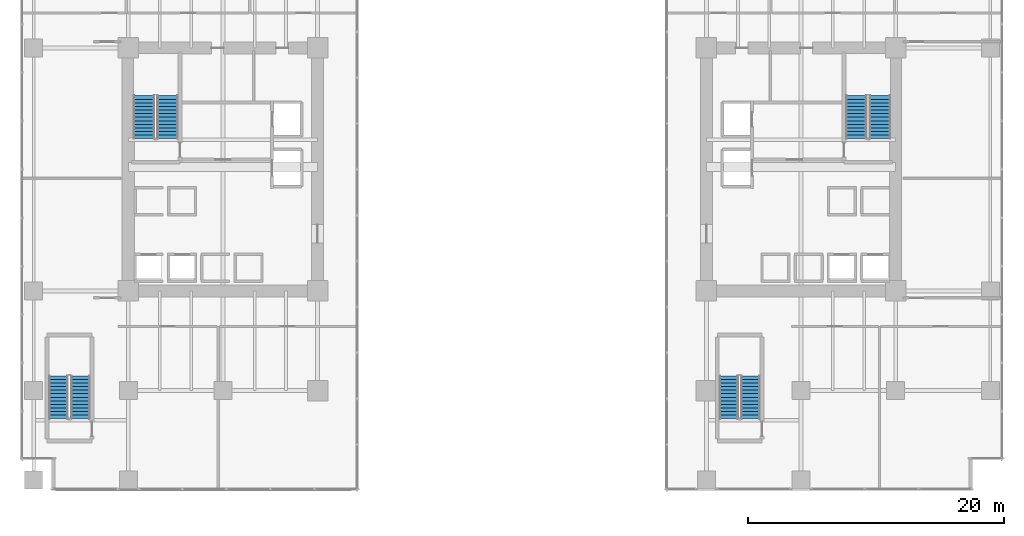
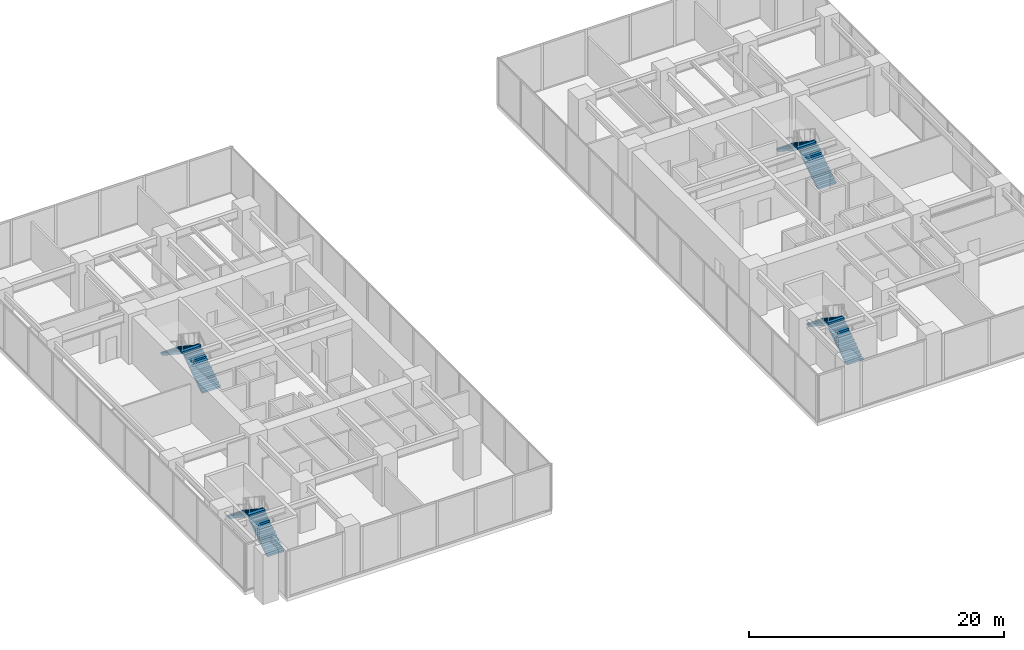
# One storey, part 28 of 32: 8 stair flights, 4 elements without a shape of their own.
"""IFC4 building model written with IfcOpenShell, lengths in metres."""

import ifcopenshell
import ifcopenshell.guid

model = None  # the IFC model being written
_history = None  # IfcOwnerHistory: only IFC2X3 demands one
_inside = {}  # id of a spatial element -> (the spatial element, [elements in it])
_under = {}  # id of a project, library or spatial element -> (it, [spatial elements below it])
_declared = {}  # id of a project -> (the project, [libraries it declares])
_typed = {}  # id of a type object -> (the type object, [elements of that type])
_made_of = {}  # id of a material, layer set ... -> (it, [elements and type objects made of it])


def new_model(schema):
    """Start an empty IFC model of exactly this schema.

    Asked for "IFC4X3", IfcOpenShell would pick the latest addendum, in which some entities
    have other attributes; the version numbers below select the first issue.
    IFC2X3 requires an IfcOwnerHistory on every rooted entity: one is made here for all.
    """
    global model, _history
    if schema == "IFC4X3":
        model = ifcopenshell.file(schema_version=(4, 3, 0, 0))
    else:
        model = ifcopenshell.file(schema=schema)
    _inside.clear()
    _under.clear()
    _declared.clear()
    _typed.clear()
    _made_of.clear()
    _history = None
    if model.schema == "IFC2X3":
        org = make("IfcOrganization", Name="unknown")
        user = make(
            "IfcPersonAndOrganization",
            ThePerson=make("IfcPerson", FamilyName="unknown"),
            TheOrganization=org,
        )
        app = make(
            "IfcApplication",
            ApplicationDeveloper=org,
            Version="unknown",
            ApplicationFullName="unknown",
            ApplicationIdentifier="unknown",
        )
        _history = make(
            "IfcOwnerHistory",
            OwningUser=user,
            OwningApplication=app,
            ChangeAction="ADDED",
            CreationDate=0,
        )
    return model


def make(cls, **values):
    """One entity of the class cls with the attributes given. An attribute that is None is left unset."""
    return model.create_entity(
        cls, **{name: value for name, value in values.items() if value is not None}
    )


def rooted(cls, **values):
    """An entity with a GlobalId (a new one), such as an element, a storey or a relation."""
    return make(cls, GlobalId=ifcopenshell.guid.new(), OwnerHistory=_history, **values)


def si_unit(unit_type, name, prefix=None):
    """IfcSIUnit, for example si_unit("LENGTHUNIT", "METRE", prefix="MILLI")."""
    return make("IfcSIUnit", UnitType=unit_type, Prefix=prefix, Name=name)


def assignment(units):
    """IfcUnitAssignment: the units of a project."""
    return None if units is None else make("IfcUnitAssignment", Units=units)


def point(xyz):
    """IfcCartesianPoint."""
    return None if xyz is None else make("IfcCartesianPoint", Coordinates=xyz)


def direction(xyz):
    """IfcDirection."""
    return None if xyz is None else make("IfcDirection", DirectionRatios=xyz)


def frame(location, z_axis=None, x_axis=None):
    """IfcAxis2Placement3D, a coordinate frame: its origin and axes. An axis left out is left unset."""
    return make(
        "IfcAxis2Placement3D",
        Location=point(location),
        Axis=direction(z_axis),
        RefDirection=direction(x_axis),
    )


def origin():
    """The frame at (0, 0, 0) with its axes left unset."""
    return frame((0.0, 0.0, 0.0))


def place(relative_to, where):
    """IfcLocalPlacement: puts the frame where relative to a parent placement (None: the world)."""
    return make(
        "IfcLocalPlacement", PlacementRelTo=relative_to, RelativePlacement=where
    )


def context(
    kind, dimensions, precision=None, world=None, true_north=None, identifier=None
):
    """IfcGeometricRepresentationContext, for example the 3D "Model" context."""
    return make(
        "IfcGeometricRepresentationContext",
        ContextIdentifier=identifier,
        ContextType=kind,
        CoordinateSpaceDimension=dimensions,
        Precision=precision,
        WorldCoordinateSystem=world,
        TrueNorth=true_north,
    )


def subcontext(parent, identifier, kind, view, scale=None):
    """IfcGeometricRepresentationSubContext, for example "Body" below "Model"."""
    return make(
        "IfcGeometricRepresentationSubContext",
        ContextIdentifier=identifier,
        ContextType=kind,
        ParentContext=parent,
        TargetScale=scale,
        TargetView=view,
    )


def project(units=None, contexts=None):
    """IfcProject with its units and contexts."""
    return rooted(
        "IfcProject",
        Name="project",
        RepresentationContexts=contexts,
        UnitsInContext=assignment(units),
    )


def spatial(cls, under=None, at=None, **own):
    """A site, building, storey or space (cls), placed at a placement, below another one or the project."""
    s = rooted(cls, ObjectPlacement=at, **own)
    if under is not None:
        _under.setdefault(under.id(), (under, []))[1].append(s)
    return s


def polyline(points):
    """IfcPolyline through the points."""
    return make("IfcPolyline", Points=[point(p) for p in points])


def outline(outer, holes=None, kind="AREA"):
    """IfcArbitraryClosedProfileDef: a profile drawn as a closed curve; with holes, ...WithVoids."""
    if holes is None:
        return make("IfcArbitraryClosedProfileDef", ProfileType=kind, OuterCurve=outer)
    return make(
        "IfcArbitraryProfileDefWithVoids",
        ProfileType=kind,
        OuterCurve=outer,
        InnerCurves=holes,
    )


def extrude(swept, where, along, depth):
    """IfcExtrudedAreaSolid: the profile swept, set in the frame where, extruded along a direction by depth."""
    return make(
        "IfcExtrudedAreaSolid",
        SweptArea=swept,
        Position=where,
        ExtrudedDirection=direction(along),
        Depth=depth,
    )


def shape(context_of_items, identifier, shape_type, items):
    """IfcShapeRepresentation: the items that make up one representation, for example the "Body"."""
    return make(
        "IfcShapeRepresentation",
        ContextOfItems=context_of_items,
        RepresentationIdentifier=identifier,
        RepresentationType=shape_type,
        Items=items,
    )


def source(mapping_origin, context_of_items, identifier, shape_type, items):
    """IfcRepresentationMap: a shape defined once, which mapped items show again and again."""
    return make(
        "IfcRepresentationMap",
        MappingOrigin=mapping_origin,
        MappedRepresentation=shape(context_of_items, identifier, shape_type, items),
    )


def transform(
    local_origin,
    x_axis=None,
    y_axis=None,
    z_axis=None,
    scale=None,
    scale2=None,
    scale3=None,
    uniform=True,
):
    """IfcCartesianTransformationOperator3D, or its non-uniform kind. x_axis, y_axis, z_axis: its Axis1, 2, 3."""
    if uniform:
        return make(
            "IfcCartesianTransformationOperator3D",
            Axis1=direction(x_axis),
            Axis2=direction(y_axis),
            LocalOrigin=point(local_origin),
            Scale=scale,
            Axis3=direction(z_axis),
        )
    return make(
        "IfcCartesianTransformationOperator3DnonUniform",
        Axis1=direction(x_axis),
        Axis2=direction(y_axis),
        LocalOrigin=point(local_origin),
        Scale=scale,
        Axis3=direction(z_axis),
        Scale2=scale2,
        Scale3=scale3,
    )


def mapped(mapping_source, mapping_target):
    """IfcMappedItem: shows the shape of a source again, moved by a transform."""
    return make(
        "IfcMappedItem", MappingSource=mapping_source, MappingTarget=mapping_target
    )


def material(Name=None, Category=None):
    """IfcMaterial."""
    return make("IfcMaterial", Name=Name, Category=Category)


def made_of(thing, what):
    """Note that an element or type object is made of a material, layer set ...; save() writes the relation."""
    if what is not None:
        _made_of.setdefault(what.id(), (what, []))[1].append(thing)
    return thing


def type_object(cls, material=None, **own):
    """A type object (cls), such as IfcWallType, which elements share."""
    return made_of(rooted(cls, **own), material)


def type_shapes(of_type, sources):
    """Give a type object the sources (RepresentationMaps) that its elements show as mapped items."""
    of_type.RepresentationMaps = sources


def element(
    cls,
    number,
    at=None,
    inside=None,
    cuts=None,
    type_object=None,
    material=None,
    context=None,
    identifier="Body",
    shape_type=None,
    held_by="IfcProductDefinitionShape",
    body=None,
    shapes=None,
    **own,
):
    """One element of the class cls, such as IfcWall. Its Tag is "e" and its number.

    at: its placement. inside: the storey or other place that contains it. cuts: it is an
    opening in that element (IfcRelVoidsElement). A single representation is given by context,
    identifier, shape_type and body (its items); several are given by shapes. held_by: the class
    of the entity that holds the representations. save() writes the other relations.
    """
    e = rooted(cls, Tag="e%d" % number, ObjectPlacement=at, **own)
    if body is not None:
        shapes = [shape(context, identifier, shape_type, body)]
    if shapes is not None:
        e.Representation = make(held_by, Representations=shapes)
    if inside is not None:
        _inside.setdefault(inside.id(), (inside, []))[1].append(e)
    if cuts is not None:
        rooted(
            "IfcRelVoidsElement", RelatingBuildingElement=cuts, RelatedOpeningElement=e
        )
    if type_object is not None:
        _typed.setdefault(type_object.id(), (type_object, []))[1].append(e)
    return made_of(e, material)


def aggregate(whole, parts):
    """IfcRelAggregates: a whole, such as a stair, and the parts it consists of."""
    return rooted("IfcRelAggregates", RelatingObject=whole, RelatedObjects=parts)


def save(model, path):
    """Write the relations noted so far, then the file.

    IfcRelAggregates (storeys below a building ...), IfcRelContainedInSpatialStructure (elements
    in a storey), IfcRelDefinesByType, IfcRelAssociatesMaterial and IfcRelDeclares: one each for
    every whole, place, type object, material and project.
    """
    for whole, parts in _under.values():
        aggregate(whole, parts)
    for where, things in _inside.values():
        rooted(
            "IfcRelContainedInSpatialStructure",
            RelatedElements=things,
            RelatingStructure=where,
        )
    for kind, things in _typed.values():
        rooted("IfcRelDefinesByType", RelatedObjects=things, RelatingType=kind)
    for what, things in _made_of.values():
        rooted("IfcRelAssociatesMaterial", RelatedObjects=things, RelatingMaterial=what)
    for by, libraries in _declared.values():
        rooted("IfcRelDeclares", RelatingContext=by, RelatedDefinitions=libraries)
    model.write(path)


model = new_model("IFC4")

# Units and contexts
model_context = context("Model", 3, precision=1e-05, world=origin(), true_north=direction((0.0, 1.0)))
body_context = subcontext(model_context, "Body", "Model", "MODEL_VIEW")
ifc_project = project(units=[si_unit("LENGTHUNIT", "METRE"), si_unit("AREAUNIT", "SQUARE_METRE"), si_unit("VOLUMEUNIT", "CUBIC_METRE"), si_unit("PLANEANGLEUNIT", "RADIAN"), si_unit("MASSUNIT", "GRAM", prefix="KILO")], contexts=[model_context])

# Site, building, storey
site_placement = place(None, origin())
site = spatial("IfcSite", under=ifc_project, at=site_placement, CompositionType="ELEMENT")
building_placement = place(site_placement, origin())
building = spatial("IfcBuilding", under=site, at=building_placement, Name="Haelvirn Gate Laboratories", CompositionType="ELEMENT")
storey_placement = place(building_placement, frame((0.0, 0.0, 5.39990234375)))
storey = spatial("IfcBuildingStorey", under=building, at=storey_placement, Name="L02", CompositionType="ELEMENT", Elevation=5.39990234375)

# Stair, stair flights
ifc_material = material(Name="Concrete C40/50", Category="concrete")
stair_type_1 = type_object("IfcStairType", Name="ST-DOG-1650-R26", PredefinedType="HALF_TURN_STAIR", material=ifc_material)
stair_1_placement = place(storey_placement, origin())
stair_1 = element("IfcStair", 1, at=stair_1_placement, inside=storey, type_object=stair_type_1, Name="L02 Escape Stair ST1", PredefinedType="HALF_TURN_STAIR")
stair_flight_type_1 = type_object("IfcStairFlightType", Name="STF-1650-R13", PredefinedType="STRAIGHT", material=ifc_material)
shared_shape_1 = source(origin(), body_context, "Body", "SweptSolid", [
    extrude(outline(polyline([(0.0, 0.0), (0.0, 0.1845703125), (0.280029296875, 0.1845703125), (0.280029296875, 0.369140625), (0.56005859375, 0.369140625), (0.56005859375, 0.553955078125), (0.840087890625, 0.553955078125), (0.840087890625, 0.738525390625), (1.1201171875, 0.738525390625), (1.1201171875, 0.923095703125), (1.39990234375, 0.923095703125), (1.39990234375, 1.107666015625), (1.679931640625, 1.107666015625), (1.679931640625, 1.292236328125), (1.9599609375, 1.292236328125), (1.9599609375, 1.476806640625), (2.239990234375, 1.476806640625), (2.239990234375, 1.66162109375), (2.52001953125, 1.66162109375), (2.52001953125, 1.84619140625), (2.800048828125, 1.84619140625), (2.800048828125, 2.03076171875), (3.080078125, 2.03076171875), (3.080078125, 2.21533203125), (3.360107421875, 2.21533203125), (3.360107421875, 2.39990234375), (3.360107421875, 2.02392578125), (0.29052734375, 0.0), (0.0, 0.0)])), frame((0.0, 0.824951171875, 0.0), z_axis=(0.0, -1.0, 0.0), x_axis=(1.0, 0.0, 0.0)), (0.0, 0.0, 1.0), 1.64990234375),
])
type_shapes(stair_flight_type_1, [shared_shape_1])
stair_flight_1_placement = place(storey_placement, frame((10.47509765625, 26.699951171875, 0.0), z_axis=(0.0, 0.0, 1.0), x_axis=(0.0, 1.0, 0.0)))
stair_flight_1 = element("IfcStairFlight", 2, at=stair_flight_1_placement, type_object=stair_flight_type_1, Name="ST1 flight 1", NumberOfRisers=13, NumberOfTreads=12, PredefinedType="STRAIGHT", RiserHeight=0.184615385, TreadLength=0.28, context=body_context, shape_type="MappedRepresentation", body=[
    mapped(shared_shape_1, transform((0.0, 0.0, 0.0), scale=1.0)),
])
stair_flight_2_placement = place(storey_placement, frame((8.625, 30.06005859375, 2.400146484375), z_axis=(0.0, 0.0, 1.0), x_axis=(0.0, -1.0, 0.0)))
stair_flight_2 = element("IfcStairFlight", 3, at=stair_flight_2_placement, type_object=stair_flight_type_1, Name="ST1 flight 2", NumberOfRisers=13, NumberOfTreads=12, PredefinedType="STRAIGHT", RiserHeight=0.184615385, TreadLength=0.28, context=body_context, shape_type="MappedRepresentation", body=[
    mapped(shared_shape_1, transform((0.0, 0.0, 0.0), scale=1.0)),
])
aggregate(stair_1, [stair_flight_1, stair_flight_2])

stair_2_placement = place(storey_placement, origin())
stair_2 = element("IfcStair", 4, at=stair_2_placement, inside=storey, type_object=stair_type_1, Name="L02 Escape Stair ST2", PredefinedType="HALF_TURN_STAIR")
stair_flight_3_placement = place(storey_placement, frame((66.175048828125, 26.699951171875, 0.0), z_axis=(0.0, 0.0, 1.0), x_axis=(0.0, 1.0, 0.0)))
stair_flight_3 = element("IfcStairFlight", 5, at=stair_flight_3_placement, type_object=stair_flight_type_1, Name="ST2 flight 1", NumberOfRisers=13, NumberOfTreads=12, PredefinedType="STRAIGHT", RiserHeight=0.184615385, TreadLength=0.28, context=body_context, shape_type="MappedRepresentation", body=[
    mapped(shared_shape_1, transform((0.0, 0.0, 0.0), scale=1.0)),
])
stair_flight_4_placement = place(storey_placement, frame((64.324951171875, 30.06005859375, 2.400146484375), z_axis=(0.0, 0.0, 1.0), x_axis=(0.0, -1.0, 0.0)))
stair_flight_4 = element("IfcStairFlight", 6, at=stair_flight_4_placement, type_object=stair_flight_type_1, Name="ST2 flight 2", NumberOfRisers=13, NumberOfTreads=12, PredefinedType="STRAIGHT", RiserHeight=0.184615385, TreadLength=0.28, context=body_context, shape_type="MappedRepresentation", body=[
    mapped(shared_shape_1, transform((0.0, 0.0, 0.0), scale=1.0)),
])
aggregate(stair_2, [stair_flight_3, stair_flight_4])

stair_type_2 = type_object("IfcStairType", Name="ST-DOG-1500-R26", PredefinedType="HALF_TURN_STAIR", material=ifc_material)
stair_3_placement = place(storey_placement, origin())
stair_3 = element("IfcStair", 7, at=stair_3_placement, inside=storey, type_object=stair_type_2, Name="L02 Escape Stair ST3", PredefinedType="HALF_TURN_STAIR")
stair_flight_type_2 = type_object("IfcStairFlightType", Name="STF-1500-R13", PredefinedType="STRAIGHT", material=ifc_material)
shared_shape_2 = source(origin(), body_context, "Body", "SweptSolid", [
    extrude(outline(polyline([(0.0, 0.0), (0.0, 0.1845703125), (0.280029296875, 0.1845703125), (0.280029296875, 0.369140625), (0.56005859375, 0.369140625), (0.56005859375, 0.553955078125), (0.840087890625, 0.553955078125), (0.840087890625, 0.738525390625), (1.1201171875, 0.738525390625), (1.1201171875, 0.923095703125), (1.39990234375, 0.923095703125), (1.39990234375, 1.107666015625), (1.679931640625, 1.107666015625), (1.679931640625, 1.292236328125), (1.9599609375, 1.292236328125), (1.9599609375, 1.476806640625), (2.239990234375, 1.476806640625), (2.239990234375, 1.66162109375), (2.52001953125, 1.66162109375), (2.52001953125, 1.84619140625), (2.800048828125, 1.84619140625), (2.800048828125, 2.03076171875), (3.080078125, 2.03076171875), (3.080078125, 2.21533203125), (3.360107421875, 2.21533203125), (3.360107421875, 2.39990234375), (3.360107421875, 2.02392578125), (0.29052734375, 0.0), (0.0, 0.0)])), frame((0.0, 0.75, 0.0), z_axis=(0.0, -1.0, 0.0), x_axis=(1.0, 0.0, 0.0)), (0.0, 0.0, 1.0), 1.5),
])
type_shapes(stair_flight_type_2, [shared_shape_2])
stair_flight_5_placement = place(storey_placement, frame((3.64990234375, 4.800048828125, 0.0), z_axis=(0.0, 0.0, 1.0), x_axis=(0.0, 1.0, 0.0)))
stair_flight_5 = element("IfcStairFlight", 8, at=stair_flight_5_placement, type_object=stair_flight_type_2, Name="ST3 flight 1", NumberOfRisers=13, NumberOfTreads=12, PredefinedType="STRAIGHT", RiserHeight=0.184615385, TreadLength=0.28, context=body_context, shape_type="MappedRepresentation", body=[
    mapped(shared_shape_2, transform((0.0, 0.0, 0.0), scale=1.0)),
])
stair_flight_6_placement = place(storey_placement, frame((1.949951171875, 8.159912109375, 2.400146484375), z_axis=(0.0, 0.0, 1.0), x_axis=(0.0, -1.0, 0.0)))
stair_flight_6 = element("IfcStairFlight", 9, at=stair_flight_6_placement, type_object=stair_flight_type_2, Name="ST3 flight 2", NumberOfRisers=13, NumberOfTreads=12, PredefinedType="STRAIGHT", RiserHeight=0.184615385, TreadLength=0.28, context=body_context, shape_type="MappedRepresentation", body=[
    mapped(shared_shape_2, transform((0.0, 0.0, 0.0), scale=1.0)),
])
aggregate(stair_3, [stair_flight_5, stair_flight_6])

stair_4_placement = place(storey_placement, origin())
stair_4 = element("IfcStair", 10, at=stair_4_placement, inside=storey, type_object=stair_type_2, Name="L02 Escape Stair ST4", PredefinedType="HALF_TURN_STAIR")
stair_flight_7_placement = place(storey_placement, frame((56.050048828125, 4.800048828125, 0.0), z_axis=(0.0, 0.0, 1.0), x_axis=(0.0, 1.0, 0.0)))
stair_flight_7 = element("IfcStairFlight", 11, at=stair_flight_7_placement, type_object=stair_flight_type_2, Name="ST4 flight 1", NumberOfRisers=13, NumberOfTreads=12, PredefinedType="STRAIGHT", RiserHeight=0.184615385, TreadLength=0.28, context=body_context, shape_type="MappedRepresentation", body=[
    mapped(shared_shape_2, transform((0.0, 0.0, 0.0), scale=1.0)),
])
stair_flight_8_placement = place(storey_placement, frame((54.35009765625, 8.159912109375, 2.400146484375), z_axis=(0.0, 0.0, 1.0), x_axis=(0.0, -1.0, 0.0)))
stair_flight_8 = element("IfcStairFlight", 12, at=stair_flight_8_placement, type_object=stair_flight_type_2, Name="ST4 flight 2", NumberOfRisers=13, NumberOfTreads=12, PredefinedType="STRAIGHT", RiserHeight=0.184615385, TreadLength=0.28, context=body_context, shape_type="MappedRepresentation", body=[
    mapped(shared_shape_2, transform((0.0, 0.0, 0.0), scale=1.0)),
])
aggregate(stair_4, [stair_flight_7, stair_flight_8])

save(model, "model.ifc")
